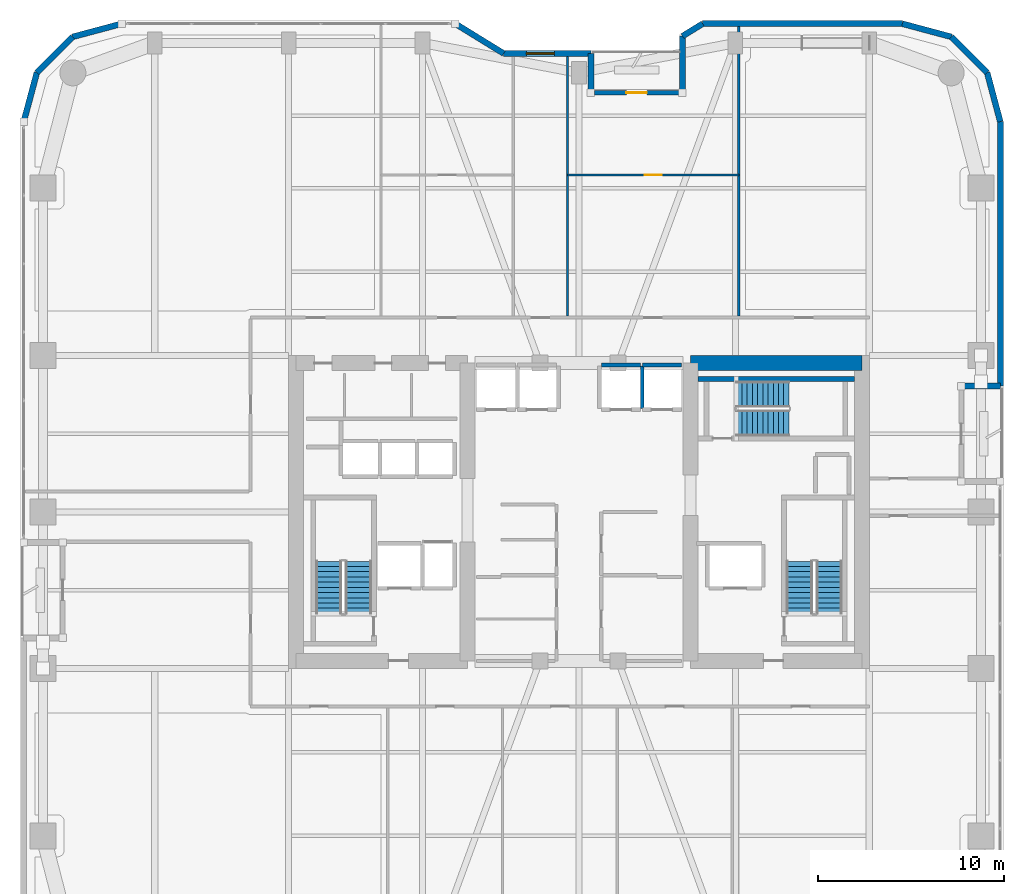
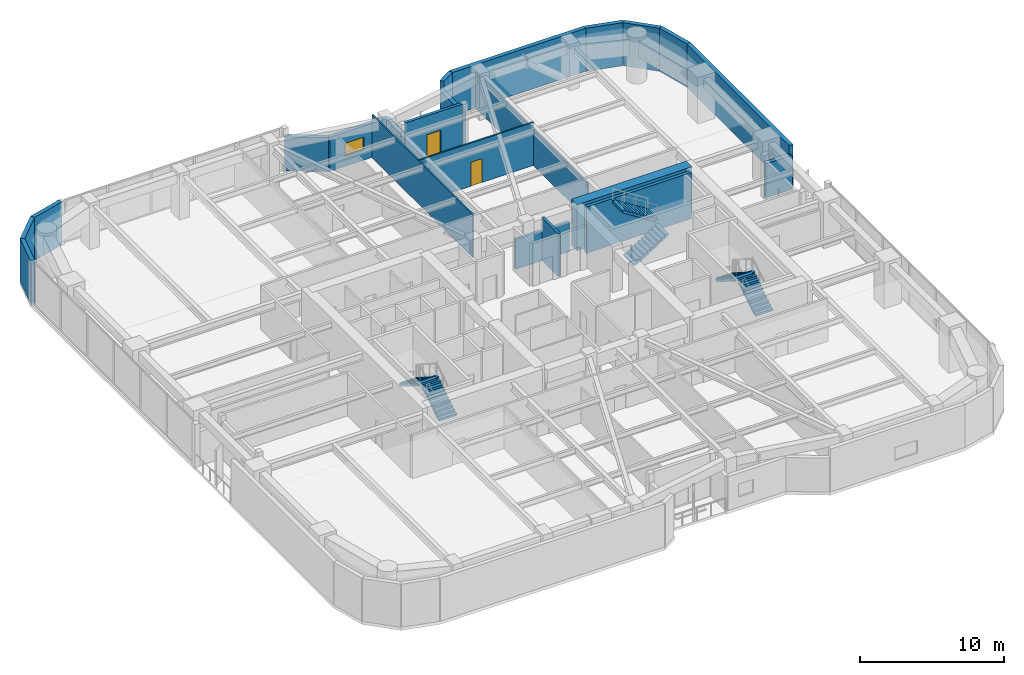
# One storey, part 21 of 24: 23 walls, 6 stair flights, 2 doors, 1 window, 3 openings, 3 elements without a shape of their own.
"""IFC4 building model written with IfcOpenShell, lengths in metres."""

from ifc_helpers import new_model, si_unit, direction, frame, frame_2d, origin, place, context, subcontext, project, spatial, polyline, rectangle, outline, extrude, material, layer, layer_set, type_object, element, fill, aggregate, save


model = new_model("IFC4")

# Units and contexts
model_context = context("Model", 3, precision=1e-05, world=origin(), true_north=direction((0.0, 1.0)))
body_context = subcontext(model_context, "Body", "Model", "MODEL_VIEW")
ifc_project = project(units=[si_unit("LENGTHUNIT", "METRE"), si_unit("AREAUNIT", "SQUARE_METRE"), si_unit("VOLUMEUNIT", "CUBIC_METRE"), si_unit("PLANEANGLEUNIT", "RADIAN"), si_unit("MASSUNIT", "GRAM", prefix="KILO")], contexts=[model_context])

# Site, building, storey
site_placement = place(None, origin())
site = spatial("IfcSite", under=ifc_project, at=site_placement, CompositionType="ELEMENT")
building_placement = place(site_placement, origin())
building = spatial("IfcBuilding", under=site, at=building_placement, Name="Kiyonajd Concourse Tower", CompositionType="ELEMENT")
storey_placement = place(building_placement, frame((0.0, 0.0, 137.699951171875)))
storey = spatial("IfcBuildingStorey", under=building, at=storey_placement, Name="L35", CompositionType="ELEMENT", Elevation=137.699951171875)

# Walls
ifc_material_1 = material(Name="Concrete C70/85", Category="concrete")
ifc_layer_1 = layer(ifc_material_1, 0.800048828125)
ifc_layer_set_1 = layer_set([ifc_layer_1], Name="Concrete C70/85")
wall_type_1 = type_object("IfcWallType", Name="WL-CORE-800", PredefinedType="SHEAR", material=ifc_layer_set_1)
wall_1_placement = place(storey_placement, frame((54.0, 44.0, 0.0), z_axis=(0.0, 0.0, 1.0), x_axis=(1.0, 0.0, 0.0)))
element("IfcWall", 1, at=wall_1_placement, inside=storey, type_object=wall_type_1, Name="L35 East Core North Shear Wall", PredefinedType="SHEAR", context=body_context, shape_type="SweptSolid", body=[
    extrude(rectangle(XDim=9.199951171875, YDim=0.800048828125, at=frame_2d((4.60009765625, 0.0))), origin(), (0.0, 0.0, 1.0), 3.900146484375),
])
ifc_material_2 = material(Name="Precast concrete C50/60", Category="concrete")
ifc_layer_2 = layer(ifc_material_2, 0.320068359375)
ifc_layer_set_2 = layer_set([ifc_layer_2], Name="Precast concrete C50/60")
wall_type_2 = type_object("IfcWallType", Name="WL-EXT-320", PredefinedType="SOLIDWALL", material=ifc_layer_set_2)
wall_2_placement = place(storey_placement, frame((18.159912109375, 56.97900390625, 0.0), z_axis=(0.0, 0.0, 1.0), x_axis=(0.25869736047, 0.965958423373, 0.0)))
element("IfcWall", 2, at=wall_2_placement, inside=storey, type_object=wall_type_2, Name="L35 Exterior Concrete Frame Wall 06", PredefinedType="SOLIDWALL", context=body_context, shape_type="SweptSolid", body=[
    extrude(rectangle(XDim=2.731201171875, YDim=0.320068359375, at=frame_2d((1.36572265625, 0.0))), origin(), (0.0, 0.0, 1.0), 3.64013671875),
])
wall_3_placement = place(storey_placement, frame((18.866455078125, 59.6171875, 0.0), z_axis=(0.0, 0.0, 1.0), x_axis=(0.707106781187, 0.707106781187, 0.0)))
element("IfcWall", 3, at=wall_3_placement, inside=storey, type_object=wall_type_2, Name="L35 Exterior Concrete Frame Wall 07", PredefinedType="SOLIDWALL", context=body_context, shape_type="SweptSolid", body=[
    extrude(rectangle(XDim=2.7099609375, YDim=0.320068359375, at=frame_2d((1.35498046875, 0.0))), origin(), (0.0, 0.0, 1.0), 3.64013671875),
])
wall_4_placement = place(storey_placement, frame((20.78271484375, 61.533447265625, 0.0), z_axis=(0.0, 0.0, 1.0), x_axis=(0.965964405026, 0.25867502435, 0.0)))
element("IfcWall", 4, at=wall_4_placement, inside=storey, type_object=wall_type_2, Name="L35 Exterior Concrete Frame Wall 08", PredefinedType="SOLIDWALL", context=body_context, shape_type="SweptSolid", body=[
    extrude(rectangle(XDim=2.7314453125, YDim=0.320068359375, at=frame_2d((1.36572265625, 0.0))), origin(), (0.0, 0.0, 1.0), 3.64013671875),
])
wall_5_placement = place(storey_placement, frame((41.354736328125, 62.239990234375, 0.0), z_axis=(0.0, 0.0, 1.0), x_axis=(0.851630857047, -0.524142044989, 0.0)))
element("IfcWall", 5, at=wall_5_placement, inside=storey, type_object=wall_type_2, Name="L35 Exterior Concrete Frame Wall 10", PredefinedType="SOLIDWALL", context=body_context, shape_type="SweptSolid", body=[
    extrude(rectangle(XDim=3.052734375, YDim=0.320068359375, at=frame_2d((1.5263671875, 0.0))), origin(), (0.0, 0.0, 1.0), 2.875),
])

# Wall, opening, window
wall_6_placement = place(storey_placement, frame((43.95458984375, 60.639892578125, 0.0), z_axis=(0.0, 0.0, 1.0), x_axis=(1.0, 0.0, 0.0)))
wall_6 = element("IfcWall", 6, at=wall_6_placement, inside=storey, type_object=wall_type_2, Name="L35 Exterior Concrete Frame Wall 11", PredefinedType="SOLIDWALL", context=body_context, shape_type="SweptSolid", body=[
    extrude(rectangle(XDim=4.685302734375, YDim=0.320068359375, at=frame_2d((2.3427734375, 0.0))), origin(), (0.0, 0.0, 1.0), 2.875),
])
opening_1_placement = place(wall_6_placement, frame((1.219970703125, 0.0, 0.85009765625)))
opening_1 = element("IfcOpeningElement", 7, at=opening_1_placement, cuts=wall_6, Name="Opening WN2", PredefinedType="OPENING", context=body_context, shape_type="SweptSolid", body=[
    extrude(rectangle(XDim=1.5, YDim=1.10009765625, at=frame_2d((0.75, 0.550048828125))), frame((0.0, 0.169921875, 0.0), z_axis=(0.0, -1.0, 0.0), x_axis=(1.0, 0.0, 0.0)), (0.0, 0.0, 1.0), 0.340087890625),
])
ifc_material_3 = material(Name="Double Low-E Insulated Glass", Category="glass")
window_type = type_object("IfcWindowType", Name="WN-VIS-1500x1100", PartitioningType="SINGLE_PANEL", PredefinedType="WINDOW", material=ifc_material_3)
window_placement = place(opening_1_placement, origin())
window = element("IfcWindow", 8, at=window_placement, inside=storey, type_object=window_type, Name="L35 Modular Facade Vision Window 11", OverallHeight=1.10009765625, OverallWidth=1.5, PartitioningType="SINGLE_PANEL", PredefinedType="WINDOW", context=body_context, shape_type="SweptSolid", body=[
    extrude(rectangle(XDim=1.5, YDim=1.10009765625, at=frame_2d((0.75, 0.550048828125))), frame((0.0, 0.030029296875, 0.0), z_axis=(0.0, -1.0, 0.0), x_axis=(1.0, 0.0, 0.0)), (0.0, 0.0, 1.0), 0.06005859375),
])
fill(opening_1, window)

# Walls
wall_7_placement = place(storey_placement, frame((48.639892578125, 60.639892578125, 0.0), z_axis=(0.0, 0.0, 1.0), x_axis=(0.0, -1.0, 0.0)))
element("IfcWall", 9, at=wall_7_placement, inside=storey, type_object=wall_type_2, Name="L35 Exterior Concrete Frame Wall 12", PredefinedType="SOLIDWALL", context=body_context, shape_type="SweptSolid", body=[
    extrude(rectangle(XDim=2.099853515625, YDim=0.320068359375, at=frame_2d((1.0498046875, 0.0))), origin(), (0.0, 0.0, 1.0), 2.875),
])
wall_8_placement = place(storey_placement, frame((53.56005859375, 58.5400390625, 0.0), z_axis=(0.0, 0.0, 1.0), x_axis=(0.0, 1.0, 0.0)))
element("IfcWall", 10, at=wall_8_placement, inside=storey, type_object=wall_type_2, Name="L35 Exterior Concrete Frame Wall 14", PredefinedType="SOLIDWALL", context=body_context, shape_type="SweptSolid", body=[
    extrude(rectangle(XDim=3.032470703125, YDim=0.320068359375, at=frame_2d((1.51611328125, 0.0))), origin(), (0.0, 0.0, 1.0), 2.875),
])
wall_9_placement = place(storey_placement, frame((53.56005859375, 61.572509765625, 0.0), z_axis=(0.0, 0.0, 1.0), x_axis=(0.851776724646, 0.523904964045, 0.0)))
element("IfcWall", 11, at=wall_9_placement, inside=storey, type_object=wall_type_2, Name="L35 Exterior Concrete Frame Wall 15", PredefinedType="SOLIDWALL", context=body_context, shape_type="SweptSolid", body=[
    extrude(rectangle(XDim=1.274169921875, YDim=0.320068359375, at=frame_2d((0.63720703125, 0.0))), origin(), (0.0, 0.0, 1.0), 3.64013671875),
])
wall_10_placement = place(storey_placement, frame((54.645263671875, 62.239990234375, 0.0), z_axis=(0.0, 0.0, 1.0), x_axis=(1.0, 0.0, 0.0)))
element("IfcWall", 12, at=wall_10_placement, inside=storey, type_object=wall_type_2, Name="L35 Exterior Concrete Frame Wall 16", PredefinedType="SOLIDWALL", context=body_context, shape_type="SweptSolid", body=[
    extrude(rectangle(XDim=10.733642578125, YDim=0.320068359375, at=frame_2d((5.36669921875, 0.0))), origin(), (0.0, 0.0, 1.0), 3.64013671875),
])
wall_11_placement = place(storey_placement, frame((65.37890625, 62.239990234375, 0.0), z_axis=(0.0, 0.0, 1.0), x_axis=(0.965958423373, -0.25869736047, 0.0)))
element("IfcWall", 13, at=wall_11_placement, inside=storey, type_object=wall_type_2, Name="L35 Exterior Concrete Frame Wall 17", PredefinedType="SOLIDWALL", context=body_context, shape_type="SweptSolid", body=[
    extrude(rectangle(XDim=2.731201171875, YDim=0.320068359375, at=frame_2d((1.36572265625, 0.0))), origin(), (0.0, 0.0, 1.0), 3.64013671875),
])
wall_12_placement = place(storey_placement, frame((68.01708984375, 61.533447265625, 0.0), z_axis=(0.0, 0.0, 1.0), x_axis=(0.707151821269, -0.707061738235, 0.0)))
element("IfcWall", 14, at=wall_12_placement, inside=storey, type_object=wall_type_2, Name="L35 Exterior Concrete Frame Wall 18", PredefinedType="SOLIDWALL", context=body_context, shape_type="SweptSolid", body=[
    extrude(rectangle(XDim=2.710205078125, YDim=0.320068359375, at=frame_2d((1.35498046875, 0.0))), origin(), (0.0, 0.0, 1.0), 3.64013671875),
])
wall_13_placement = place(storey_placement, frame((69.93359375, 59.6171875, 0.0), z_axis=(0.0, 0.0, 1.0), x_axis=(0.258613949072, -0.965980758269, 0.0)))
element("IfcWall", 15, at=wall_13_placement, inside=storey, type_object=wall_type_2, Name="L35 Exterior Concrete Frame Wall 19", PredefinedType="SOLIDWALL", context=body_context, shape_type="SweptSolid", body=[
    extrude(rectangle(XDim=2.731201171875, YDim=0.320068359375, at=frame_2d((1.36572265625, 0.0))), origin(), (0.0, 0.0, 1.0), 3.64013671875),
])
wall_14_placement = place(storey_placement, frame((70.639892578125, 56.97900390625, 0.0), z_axis=(0.0, 0.0, 1.0), x_axis=(0.0, -1.0, 0.0)))
element("IfcWall", 16, at=wall_14_placement, inside=storey, type_object=wall_type_2, Name="L35 Exterior Concrete Frame Wall 20", PredefinedType="SOLIDWALL", context=body_context, shape_type="SweptSolid", body=[
    extrude(rectangle(XDim=14.218994140625, YDim=0.320068359375, at=frame_2d((7.109375, 0.0))), origin(), (0.0, 0.0, 1.0), 3.64013671875),
])
wall_15_placement = place(storey_placement, frame((70.639892578125, 42.760009765625, 0.0), z_axis=(0.0, 0.0, 1.0), x_axis=(-1.0, 0.0, 0.0)))
element("IfcWall", 17, at=wall_15_placement, inside=storey, type_object=wall_type_2, Name="L35 Exterior Concrete Frame Wall 21", PredefinedType="SOLIDWALL", context=body_context, shape_type="SweptSolid", body=[
    extrude(rectangle(XDim=2.099853515625, YDim=0.320068359375, at=frame_2d((1.0498046875, 0.0))), origin(), (0.0, 0.0, 1.0), 2.875),
])

# Wall, opening, door
ifc_layer_3 = layer(ifc_material_2, 0.239990234375)
ifc_layer_set_3 = layer_set([ifc_layer_3], Name="Precast concrete C50/60")
wall_type_3 = type_object("IfcWallType", Name="WL-LOG-240", PredefinedType="SOLIDWALL", material=ifc_layer_set_3)
wall_16_placement = place(storey_placement, frame((48.8349609375, 58.5400390625, 0.0), z_axis=(0.0, 0.0, 1.0), x_axis=(1.0, 0.0, 0.0)))
wall_16 = element("IfcWall", 18, at=wall_16_placement, inside=storey, type_object=wall_type_3, Name="L35 Recessed Loggia Thermal Wall LOG-N", PredefinedType="SOLIDWALL", context=body_context, shape_type="SweptSolid", body=[
    extrude(rectangle(XDim=4.530029296875, YDim=0.239990234375, at=frame_2d((2.26513671875, 0.0))), origin(), (0.0, 0.0, 1.0), 3.64013671875),
])
opening_2_placement = place(wall_16_placement, frame((1.715087890625, 0.0, 0.0)))
opening_2 = element("IfcOpeningElement", 19, at=opening_2_placement, cuts=wall_16, Name="Opening DL2", PredefinedType="OPENING", context=body_context, shape_type="SweptSolid", body=[
    extrude(rectangle(XDim=1.10009765625, YDim=2.0400390625, at=frame_2d((0.550048828125, 1.02001953125))), frame((0.0, 0.1298828125, 0.0), z_axis=(0.0, -1.0, 0.0), x_axis=(1.0, 0.0, 0.0)), (0.0, 0.0, 1.0), 0.260009765625),
])
ifc_material_4 = material(Name="Thermally Broken Anodised Aluminium", Category="aluminium")
door_type_1 = type_object("IfcDoorType", Name="DR-LOG-1100", OperationType="NOTDEFINED", PredefinedType="DOOR", material=ifc_material_4)
door_1_placement = place(opening_2_placement, origin())
door_1 = element("IfcDoor", 20, at=door_1_placement, inside=storey, type_object=door_type_1, Name="L35 Engawa Loggia Access Door LOG-N", OperationType="SINGLE_SWING_RIGHT", OverallHeight=2.0400390625, OverallWidth=1.10009765625, PredefinedType="DOOR", context=body_context, shape_type="SweptSolid", body=[
    extrude(rectangle(XDim=1.10009765625, YDim=2.0400390625, at=frame_2d((0.550048828125, 1.02001953125))), frame((0.0, 0.02490234375, 0.0), z_axis=(0.0, -1.0, 0.0), x_axis=(1.0, 0.0, 0.0)), (0.0, 0.0, 1.0), 0.050048828125),
])
fill(opening_2, door_1)

ifc_material_5 = material(Name="Gypsum Board on Cold-Formed Steel Stud", Category="steel")
ifc_layer_4 = layer(ifc_material_5, 0.125)
ifc_layer_set_4 = layer_set([ifc_layer_4], Name="Gypsum Board on Cold-Formed Steel Stud")
wall_type_4 = type_object("IfcWallType", Name="WL-PART-125", PredefinedType="PARTITIONING", material=ifc_layer_set_4)
wall_17_placement = place(storey_placement, frame((47.3798828125, 54.110107421875, 0.0), z_axis=(0.0, 0.0, 1.0), x_axis=(1.0, 0.0, 0.0)))
wall_17 = element("IfcWall", 21, at=wall_17_placement, inside=storey, type_object=wall_type_4, Name="L35 Interior Partition Wall", PredefinedType="PARTITIONING", context=body_context, shape_type="SweptSolid", body=[
    extrude(rectangle(XDim=9.210205078125, YDim=0.125, at=frame_2d((4.60498046875, 0.0))), origin(), (0.0, 0.0, 1.0), 3.64013671875),
])
opening_3_placement = place(wall_17_placement, frame((4.155029296875, 0.0, 0.0)))
opening_3 = element("IfcOpeningElement", 22, at=opening_3_placement, cuts=wall_17, Name="Opening DI2", PredefinedType="OPENING", context=body_context, shape_type="SweptSolid", body=[
    extrude(rectangle(XDim=0.89990234375, YDim=2.02001953125, at=frame_2d((0.449951171875, 1.010009765625))), frame((0.0, 0.072509765625, 0.0), z_axis=(0.0, -1.0, 0.0), x_axis=(1.0, 0.0, 0.0)), (0.0, 0.0, 1.0), 0.14501953125),
])
ifc_material_6 = material(Name="Natural Oak Acoustic Timber Veneer", Category="wood")
door_type_2 = type_object("IfcDoorType", Name="DR-INT-900", OperationType="NOTDEFINED", PredefinedType="DOOR", material=ifc_material_6)
door_2_placement = place(opening_3_placement, origin())
door_2 = element("IfcDoor", 23, at=door_2_placement, inside=storey, type_object=door_type_2, Name="L35 Interior Door", OperationType="SINGLE_SWING_LEFT", OverallHeight=2.02001953125, OverallWidth=0.89990234375, PredefinedType="DOOR", context=body_context, shape_type="SweptSolid", body=[
    extrude(rectangle(XDim=0.89990234375, YDim=2.02001953125, at=frame_2d((0.449951171875, 1.010009765625))), frame((0.0, 0.02490234375, 0.0), z_axis=(0.0, -1.0, 0.0), x_axis=(1.0, 0.0, 0.0)), (0.0, 0.0, 1.0), 0.050048828125),
])
fill(opening_3, door_2)

# Walls
wall_18_placement = place(storey_placement, frame((47.3798828125, 46.537109375, 0.0), z_axis=(0.0, 0.0, 1.0), x_axis=(0.0, 1.0, 0.0)))
element("IfcWall", 24, at=wall_18_placement, inside=storey, type_object=wall_type_4, Name="L35 Interior Partition Wall", PredefinedType="PARTITIONING", context=body_context, shape_type="SweptSolid", body=[
    extrude(rectangle(XDim=13.947998046875, YDim=0.125, at=frame_2d((6.97412109375, 0.0))), origin(), (0.0, 0.0, 1.0), 3.64013671875),
])
wall_19_placement = place(storey_placement, frame((56.590087890625, 46.537109375, 0.0), z_axis=(0.0, 0.0, 1.0), x_axis=(0.0, 1.0, 0.0)))
element("IfcWall", 25, at=wall_19_placement, inside=storey, type_object=wall_type_4, Name="L35 Interior Partition Wall", PredefinedType="PARTITIONING", context=body_context, shape_type="SweptSolid", body=[
    extrude(rectangle(XDim=15.5478515625, YDim=0.125, at=frame_2d((7.77392578125, 0.0))), origin(), (0.0, 0.0, 1.0), 3.0029296875),
])
ifc_layer_5 = layer(ifc_material_5, 0.2099609375)
ifc_layer_set_5 = layer_set([ifc_layer_5], Name="Gypsum Board on Cold-Formed Steel Stud")
wall_type_5 = type_object("IfcWallType", Name="WL-SHAFT-210", PredefinedType="PARTITIONING", material=ifc_layer_set_5)
wall_20_placement = place(storey_placement, frame((49.199951171875, 43.89990234375, 0.0), z_axis=(0.0, 0.0, 1.0), x_axis=(1.0, 0.0, 0.0)))
element("IfcWall", 26, at=wall_20_placement, inside=storey, type_object=wall_type_5, Name="L35 Shaft Enclosure Wall", PredefinedType="PARTITIONING", context=body_context, shape_type="SweptSolid", body=[
    extrude(rectangle(XDim=2.10009765625, YDim=0.2099609375, at=frame_2d((1.050048828125, 0.0))), origin(), (0.0, 0.0, 1.0), 2.525146484375),
])
wall_21_placement = place(storey_placement, frame((51.39990234375, 41.56005859375, 0.0), z_axis=(0.0, 0.0, 1.0), x_axis=(0.0, 1.0, 0.0)))
element("IfcWall", 27, at=wall_21_placement, inside=storey, type_object=wall_type_5, Name="L35 Shaft Enclosure Wall", PredefinedType="PARTITIONING", context=body_context, shape_type="SweptSolid", body=[
    extrude(rectangle(XDim=2.280029296875, YDim=0.2099609375, at=frame_2d((1.14013671875, 0.0))), origin(), (0.0, 0.0, 1.0), 3.64013671875),
])
wall_22_placement = place(storey_placement, frame((51.39990234375, 43.89990234375, 0.0), z_axis=(0.0, 0.0, 1.0), x_axis=(1.0, 0.0, 0.0)))
element("IfcWall", 28, at=wall_22_placement, inside=storey, type_object=wall_type_5, Name="L35 Shaft Enclosure Wall", PredefinedType="PARTITIONING", context=body_context, shape_type="SweptSolid", body=[
    extrude(rectangle(XDim=2.10009765625, YDim=0.2099609375, at=frame_2d((1.050048828125, 0.0))), origin(), (0.0, 0.0, 1.0), 2.525146484375),
])
ifc_material_7 = material(Name="Concrete C50/60", Category="concrete")
ifc_layer_6 = layer(ifc_material_7, 0.260009765625)
ifc_layer_set_6 = layer_set([ifc_layer_6], Name="Concrete C50/60")
wall_type_6 = type_object("IfcWallType", Name="WL-STAIR-260", PredefinedType="SHEAR", material=ifc_layer_set_6)
wall_23_placement = place(storey_placement, frame((54.39990234375, 43.14990234375, 0.0), z_axis=(0.0, 0.0, 1.0), x_axis=(1.0, 0.0, 0.0)))
element("IfcWall", 29, at=wall_23_placement, inside=storey, type_object=wall_type_6, Name="L35 Stair ST3 Structural North Wall", PredefinedType="SHEAR", context=body_context, shape_type="SweptSolid", body=[
    extrude(rectangle(XDim=8.400146484375, YDim=0.260009765625, at=frame_2d((4.2001953125, 0.0))), origin(), (0.0, 0.0, 1.0), 3.900146484375),
])

# Stair, stair flights
ifc_material_8 = material(Name="Concrete C40/50", Category="concrete")
stair_type = type_object("IfcStairType", Name="ST-DLG-22R", PredefinedType="HALF_TURN_STAIR", material=ifc_material_8)
stair_1_placement = place(storey_placement, origin())
stair_1 = element("IfcStair", 30, at=stair_1_placement, inside=storey, type_object=stair_type, Name="L35 Protected Exit Stair ST1", PredefinedType="HALF_TURN_STAIR")
stair_flight_type = type_object("IfcStairFlightType", Name="SF-STR-22R", PredefinedType="STRAIGHT", material=ifc_material_8)
stair_flight_1_placement = place(storey_placement, frame((36.14990234375, 30.550048828125, 0.0), z_axis=(0.0, 0.0, 1.0), x_axis=(0.0, 1.0, 0.0)))
stair_flight_1 = element("IfcStairFlight", 31, at=stair_flight_1_placement, type_object=stair_flight_type, Name="ST1 flight 1", NumberOfRisers=11, NumberOfTreads=10, PredefinedType="STRAIGHT", RiserHeight=0.177272727, TreadLength=0.28, context=body_context, shape_type="SweptSolid", body=[
    extrude(outline(polyline([(0.0, 0.0), (0.0, 0.17724609375), (0.280029296875, 0.17724609375), (0.280029296875, 0.3544921875), (0.56005859375, 0.3544921875), (0.56005859375, 0.53173828125), (0.840087890625, 0.53173828125), (0.840087890625, 0.708984375), (1.1201171875, 0.708984375), (1.1201171875, 0.886474609375), (1.39990234375, 0.886474609375), (1.39990234375, 1.063720703125), (1.679931640625, 1.063720703125), (1.679931640625, 1.240966796875), (1.9599609375, 1.240966796875), (1.9599609375, 1.418212890625), (2.239990234375, 1.418212890625), (2.239990234375, 1.595458984375), (2.52001953125, 1.595458984375), (2.52001953125, 1.772705078125), (2.800048828125, 1.772705078125), (2.800048828125, 1.949951171875), (2.800048828125, 1.59521484375), (0.2802734375, 0.0), (0.0, 0.0)])), frame((0.0, 0.699951171875, 0.0), z_axis=(0.0, -1.0, 0.0), x_axis=(1.0, 0.0, 0.0)), (0.0, 0.0, 1.0), 1.39990234375),
])
stair_flight_2_placement = place(storey_placement, frame((34.550048828125, 33.35009765625, 1.949951171875), z_axis=(0.0, 0.0, 1.0), x_axis=(0.0, -1.0, 0.0)))
stair_flight_2 = element("IfcStairFlight", 32, at=stair_flight_2_placement, type_object=stair_flight_type, Name="ST1 flight 2", NumberOfRisers=11, NumberOfTreads=10, PredefinedType="STRAIGHT", RiserHeight=0.177272727, TreadLength=0.28, context=body_context, shape_type="SweptSolid", body=[
    extrude(outline(polyline([(0.0, 0.0), (0.0, 0.17724609375), (0.280029296875, 0.17724609375), (0.280029296875, 0.3544921875), (0.56005859375, 0.3544921875), (0.56005859375, 0.53173828125), (0.840087890625, 0.53173828125), (0.840087890625, 0.708984375), (1.1201171875, 0.708984375), (1.1201171875, 0.886474609375), (1.39990234375, 0.886474609375), (1.39990234375, 1.063720703125), (1.679931640625, 1.063720703125), (1.679931640625, 1.240966796875), (1.9599609375, 1.240966796875), (1.9599609375, 1.418212890625), (2.239990234375, 1.418212890625), (2.239990234375, 1.595458984375), (2.52001953125, 1.595458984375), (2.52001953125, 1.772705078125), (2.800048828125, 1.772705078125), (2.800048828125, 1.949951171875), (2.800048828125, 1.59521484375), (0.2802734375, 0.0), (0.0, 0.0)])), frame((0.0, 0.699951171875, 0.0), z_axis=(0.0, -1.0, 0.0), x_axis=(1.0, 0.0, 0.0)), (0.0, 0.0, 1.0), 1.39990234375),
])
aggregate(stair_1, [stair_flight_1, stair_flight_2])

stair_2_placement = place(storey_placement, origin())
stair_2 = element("IfcStair", 33, at=stair_2_placement, inside=storey, type_object=stair_type, Name="L35 Protected Exit Stair ST2", PredefinedType="HALF_TURN_STAIR")
stair_flight_3_placement = place(storey_placement, frame((61.449951171875, 30.550048828125, 0.0), z_axis=(0.0, 0.0, 1.0), x_axis=(0.0, 1.0, 0.0)))
stair_flight_3 = element("IfcStairFlight", 34, at=stair_flight_3_placement, type_object=stair_flight_type, Name="ST2 flight 1", NumberOfRisers=11, NumberOfTreads=10, PredefinedType="STRAIGHT", RiserHeight=0.177272727, TreadLength=0.28, context=body_context, shape_type="SweptSolid", body=[
    extrude(outline(polyline([(0.0, 0.0), (0.0, 0.17724609375), (0.280029296875, 0.17724609375), (0.280029296875, 0.3544921875), (0.56005859375, 0.3544921875), (0.56005859375, 0.53173828125), (0.840087890625, 0.53173828125), (0.840087890625, 0.708984375), (1.1201171875, 0.708984375), (1.1201171875, 0.886474609375), (1.39990234375, 0.886474609375), (1.39990234375, 1.063720703125), (1.679931640625, 1.063720703125), (1.679931640625, 1.240966796875), (1.9599609375, 1.240966796875), (1.9599609375, 1.418212890625), (2.239990234375, 1.418212890625), (2.239990234375, 1.595458984375), (2.52001953125, 1.595458984375), (2.52001953125, 1.772705078125), (2.800048828125, 1.772705078125), (2.800048828125, 1.949951171875), (2.800048828125, 1.59521484375), (0.2802734375, 0.0), (0.0, 0.0)])), frame((0.0, 0.699951171875, 0.0), z_axis=(0.0, -1.0, 0.0), x_axis=(1.0, 0.0, 0.0)), (0.0, 0.0, 1.0), 1.39990234375),
])
stair_flight_4_placement = place(storey_placement, frame((59.85009765625, 33.35009765625, 1.949951171875), z_axis=(0.0, 0.0, 1.0), x_axis=(0.0, -1.0, 0.0)))
stair_flight_4 = element("IfcStairFlight", 35, at=stair_flight_4_placement, type_object=stair_flight_type, Name="ST2 flight 2", NumberOfRisers=11, NumberOfTreads=10, PredefinedType="STRAIGHT", RiserHeight=0.177272727, TreadLength=0.28, context=body_context, shape_type="SweptSolid", body=[
    extrude(outline(polyline([(0.0, 0.0), (0.0, 0.17724609375), (0.280029296875, 0.17724609375), (0.280029296875, 0.3544921875), (0.56005859375, 0.3544921875), (0.56005859375, 0.53173828125), (0.840087890625, 0.53173828125), (0.840087890625, 0.708984375), (1.1201171875, 0.708984375), (1.1201171875, 0.886474609375), (1.39990234375, 0.886474609375), (1.39990234375, 1.063720703125), (1.679931640625, 1.063720703125), (1.679931640625, 1.240966796875), (1.9599609375, 1.240966796875), (1.9599609375, 1.418212890625), (2.239990234375, 1.418212890625), (2.239990234375, 1.595458984375), (2.52001953125, 1.595458984375), (2.52001953125, 1.772705078125), (2.800048828125, 1.772705078125), (2.800048828125, 1.949951171875), (2.800048828125, 1.59521484375), (0.2802734375, 0.0), (0.0, 0.0)])), frame((0.0, 0.699951171875, 0.0), z_axis=(0.0, -1.0, 0.0), x_axis=(1.0, 0.0, 0.0)), (0.0, 0.0, 1.0), 1.39990234375),
])
aggregate(stair_2, [stair_flight_3, stair_flight_4])

stair_3_placement = place(storey_placement, origin())
stair_3 = element("IfcStair", 36, at=stair_3_placement, inside=storey, type_object=stair_type, Name="L35 Protected Exit Stair ST3", PredefinedType="HALF_TURN_STAIR")
stair_flight_5_placement = place(storey_placement, frame((56.47998046875, 40.780029296875, 0.0), z_axis=(0.0, 0.0, 1.0), x_axis=(1.0, 0.0, 0.0)))
stair_flight_5 = element("IfcStairFlight", 37, at=stair_flight_5_placement, type_object=stair_flight_type, Name="ST3 flight 1", NumberOfRisers=11, NumberOfTreads=10, PredefinedType="STRAIGHT", RiserHeight=0.177272727, TreadLength=0.28, context=body_context, shape_type="SweptSolid", body=[
    extrude(outline(polyline([(0.0, 0.0), (0.0, 0.17724609375), (0.280029296875, 0.17724609375), (0.280029296875, 0.3544921875), (0.56005859375, 0.3544921875), (0.56005859375, 0.53173828125), (0.840087890625, 0.53173828125), (0.840087890625, 0.708984375), (1.1201171875, 0.708984375), (1.1201171875, 0.886474609375), (1.39990234375, 0.886474609375), (1.39990234375, 1.063720703125), (1.679931640625, 1.063720703125), (1.679931640625, 1.240966796875), (1.9599609375, 1.240966796875), (1.9599609375, 1.418212890625), (2.239990234375, 1.418212890625), (2.239990234375, 1.595458984375), (2.52001953125, 1.595458984375), (2.52001953125, 1.772705078125), (2.800048828125, 1.772705078125), (2.800048828125, 1.949951171875), (2.800048828125, 1.59521484375), (0.2802734375, 0.0), (0.0, 0.0)])), frame((0.0, 0.699951171875, 0.0), z_axis=(0.0, -1.0, 0.0), x_axis=(1.0, 0.0, 0.0)), (0.0, 0.0, 1.0), 1.39990234375),
])
stair_flight_6_placement = place(storey_placement, frame((59.280029296875, 42.320068359375, 1.949951171875), z_axis=(0.0, 0.0, 1.0), x_axis=(-1.0, 0.0, 0.0)))
stair_flight_6 = element("IfcStairFlight", 38, at=stair_flight_6_placement, type_object=stair_flight_type, Name="ST3 flight 2", NumberOfRisers=11, NumberOfTreads=10, PredefinedType="STRAIGHT", RiserHeight=0.177272727, TreadLength=0.28, context=body_context, shape_type="SweptSolid", body=[
    extrude(outline(polyline([(0.0, 0.0), (0.0, 0.17724609375), (0.280029296875, 0.17724609375), (0.280029296875, 0.3544921875), (0.56005859375, 0.3544921875), (0.56005859375, 0.53173828125), (0.840087890625, 0.53173828125), (0.840087890625, 0.708984375), (1.1201171875, 0.708984375), (1.1201171875, 0.886474609375), (1.39990234375, 0.886474609375), (1.39990234375, 1.063720703125), (1.679931640625, 1.063720703125), (1.679931640625, 1.240966796875), (1.9599609375, 1.240966796875), (1.9599609375, 1.418212890625), (2.239990234375, 1.418212890625), (2.239990234375, 1.595458984375), (2.52001953125, 1.595458984375), (2.52001953125, 1.772705078125), (2.800048828125, 1.772705078125), (2.800048828125, 1.949951171875), (2.800048828125, 1.59521484375), (0.2802734375, 0.0), (0.0, 0.0)])), frame((0.0, 0.699951171875, 0.0), z_axis=(0.0, -1.0, 0.0), x_axis=(1.0, 0.0, 0.0)), (0.0, 0.0, 1.0), 1.39990234375),
])
aggregate(stair_3, [stair_flight_5, stair_flight_6])

save(model, "model.ifc")
